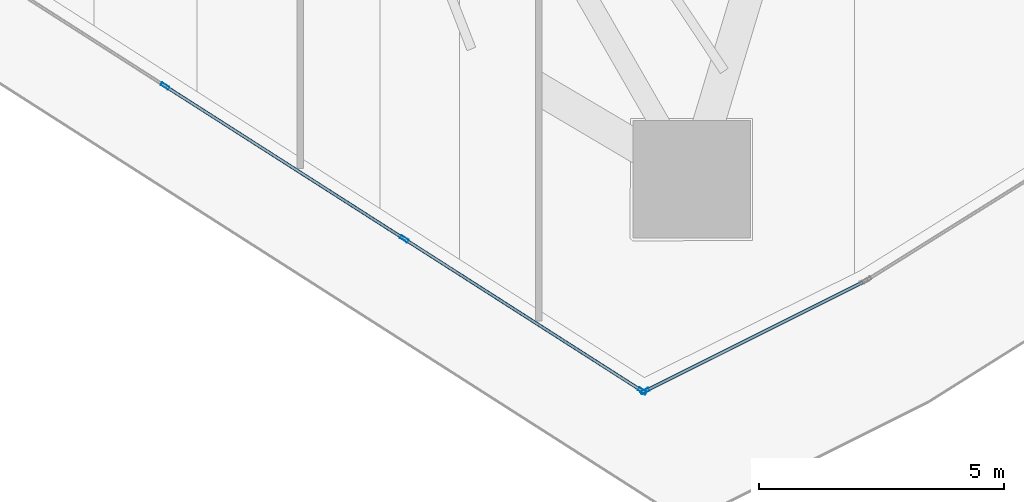
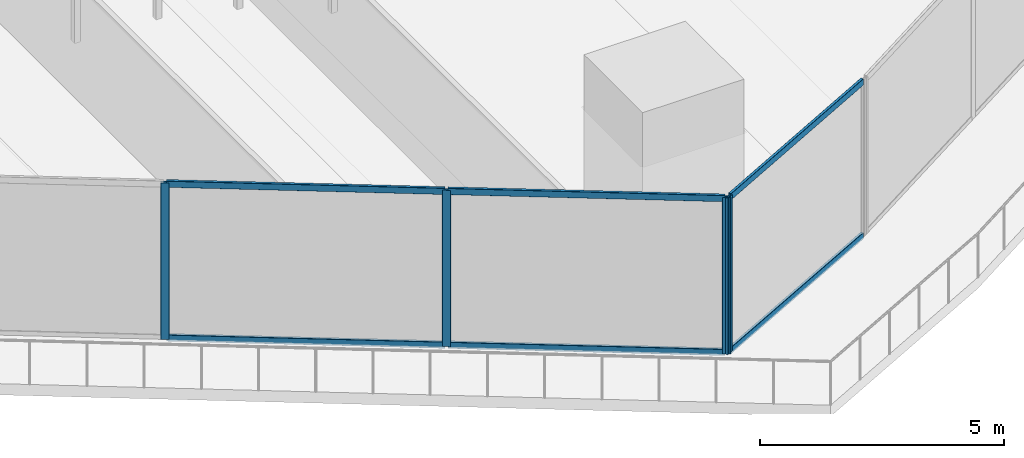
# One storey, part 7 of 45: 10 members, 2 elements without a shape of their own.
"""IFC4 building model written with IfcOpenShell, lengths in metres."""

from ifc_helpers import new_model, si_unit, direction, frame, origin, origin_2d, place, context, subcontext, project, spatial, hollow_rectangle, extrude, material, layer, layer_set, material_profile, profile_set, type_object, element, aggregate, save


model = new_model("IFC4")

# Units and contexts
model_context = context("Model", 3, precision=1e-05, world=origin(), true_north=direction((0.0, 1.0)))
body_context = subcontext(model_context, "Body", "Model", "MODEL_VIEW")
ifc_project = project(units=[si_unit("LENGTHUNIT", "METRE"), si_unit("AREAUNIT", "SQUARE_METRE"), si_unit("VOLUMEUNIT", "CUBIC_METRE"), si_unit("PLANEANGLEUNIT", "RADIAN"), si_unit("MASSUNIT", "GRAM", prefix="KILO")], contexts=[model_context])

# Site, building, storey
site_placement = place(None, origin())
site = spatial("IfcSite", under=ifc_project, at=site_placement, CompositionType="ELEMENT")
building_placement = place(site_placement, origin())
building = spatial("IfcBuilding", under=site, at=building_placement, Name="Qorvath Tower", CompositionType="ELEMENT")
storey_placement = place(building_placement, frame((0.0, 0.0, 91.199951171875)))
storey = spatial("IfcBuildingStorey", under=building, at=storey_placement, Name="L20", CompositionType="ELEMENT", Elevation=91.199951171875)

# Curtain wall, members
ifc_material_1 = material(Name="Anodised aluminium and triple low-E glass", Category="aluminium")
ifc_layer = layer(ifc_material_1, 0.179931640625)
ifc_layer_set = layer_set([ifc_layer], Name="CW-SYS-2")
curtain_wall_type = type_object("IfcCurtainWallType", Name="CW-SYS-2", PredefinedType="NOTDEFINED", material=ifc_layer_set)
curtain_wall_1_placement = place(storey_placement, origin())
curtain_wall_1 = element("IfcCurtainWall", 1, at=curtain_wall_1_placement, inside=storey, type_object=curtain_wall_type, Name="Curtain Wall CW-2 CW-T-L20-2.2", PredefinedType="NOTDEFINED")
ifc_material_2 = material(Name="Anodised aluminium 6063-T6", Category="aluminium")
ifc_material_profile_1 = material_profile(ifc_material_2, hollow_rectangle(XDim=0.06494140625, YDim=0.179931640625, WallThickness=0.00341796875, InnerFilletRadius=0.00341796875, OuterFilletRadius=0.007080078125, at=origin_2d()), Name="CWM 180x65")
ifc_profile_set_1 = profile_set([ifc_material_profile_1], Name="Anodised aluminium 6063-T6")
member_type_1 = type_object("IfcMemberType", Name="CWM-180", PredefinedType="MULLION", material=ifc_profile_set_1)
member_1_placement = place(storey_placement, frame((-25.19580078125, -25.430908203125, 0.0), z_axis=(0.0, 0.0, 1.0), x_axis=(0.538538603445, 0.842600838238, 0.0)))
member_1 = element("IfcMember", 2, at=member_1_placement, type_object=member_type_1, Name="CW-2 mullion 3", PredefinedType="MULLION", context=body_context, shape_type="SweptSolid", body=[
    extrude(hollow_rectangle(XDim=0.06494140625, YDim=0.179931640625, WallThickness=0.00341796875, InnerFilletRadius=0.00341796875, OuterFilletRadius=0.007080078125, at=origin_2d()), origin(), (0.0, 0.0, 1.0), 3.920166015625),
])
member_2_placement = place(storey_placement, frame((-20.32080078125, -28.546630859375, 0.0), z_axis=(0.0, 0.0, 1.0), x_axis=(0.538538603445, 0.842600838238, 0.0)))
member_2 = element("IfcMember", 3, at=member_2_placement, type_object=member_type_1, Name="CW-2 mullion 4", PredefinedType="MULLION", context=body_context, shape_type="SweptSolid", body=[
    extrude(hollow_rectangle(XDim=0.06494140625, YDim=0.179931640625, WallThickness=0.00341796875, InnerFilletRadius=0.00341796875, OuterFilletRadius=0.007080078125, at=origin_2d()), origin(), (0.0, 0.0, 1.0), 3.920166015625),
])
member_3_placement = place(storey_placement, frame((-15.47314453125, -31.64501953125, 0.0), z_axis=(0.0, 0.0, 1.0), x_axis=(0.538538603445, 0.842600838238, 0.0)))
member_3 = element("IfcMember", 4, at=member_3_placement, type_object=member_type_1, Name="CW-2 mullion 5", PredefinedType="MULLION", context=body_context, shape_type="SweptSolid", body=[
    extrude(hollow_rectangle(XDim=0.06494140625, YDim=0.179931640625, WallThickness=0.00341796875, InnerFilletRadius=0.00341796875, OuterFilletRadius=0.007080078125, at=origin_2d()), origin(), (0.0, 0.0, 1.0), 3.920166015625),
])

# Curtain wall, member
curtain_wall_2_placement = place(storey_placement, origin())
curtain_wall_2 = element("IfcCurtainWall", 5, at=curtain_wall_2_placement, inside=storey, type_object=curtain_wall_type, Name="Curtain Wall CW-2 CW-T-L20-3.1", PredefinedType="NOTDEFINED")
member_4_placement = place(storey_placement, frame((-15.416748046875, -31.64794921875, 0.0), z_axis=(0.0, 0.0, 1.0), x_axis=(-0.447245233408, 0.894411371347, 0.0)))
member_4 = element("IfcMember", 6, at=member_4_placement, type_object=member_type_1, Name="CW-2 mullion 1", PredefinedType="MULLION", context=body_context, shape_type="SweptSolid", body=[
    extrude(hollow_rectangle(XDim=0.06494140625, YDim=0.179931640625, WallThickness=0.00341796875, InnerFilletRadius=0.00341796875, OuterFilletRadius=0.007080078125, at=origin_2d()), origin(), (0.0, 0.0, 1.0), 3.920166015625),
])

# Member
ifc_material_3 = material(Name="Anodised aluminium 6063-T6", Category="aluminium")
ifc_material_profile_2 = material_profile(ifc_material_3, hollow_rectangle(XDim=0.06494140625, YDim=0.159912109375, WallThickness=0.00341796875, InnerFilletRadius=0.00341796875, OuterFilletRadius=0.007080078125, at=origin_2d()), Name="CWT 160x65")
ifc_profile_set_2 = profile_set([ifc_material_profile_2], Name="Anodised aluminium 6063-T6")
member_type_2 = type_object("IfcMemberType", Name="CWT-160", PredefinedType="USERDEFINED", material=ifc_profile_set_2)
member_5_placement = place(storey_placement, frame((-25.16845703125, -25.4482421875, 0.032470703125), z_axis=(0.842603738869, -0.538534065072, 0.0), x_axis=(0.538534065072, 0.842603738869, 0.0)))
member_5 = element("IfcMember", 7, at=member_5_placement, type_object=member_type_2, Name="CW-2 transom 3.1", ObjectType="TRANSOM", PredefinedType="USERDEFINED", context=body_context, shape_type="SweptSolid", body=[
    extrude(hollow_rectangle(XDim=0.06494140625, YDim=0.159912109375, WallThickness=0.00341796875, InnerFilletRadius=0.00341796875, OuterFilletRadius=0.007080078125, at=origin_2d()), origin(), (0.0, 0.0, 1.0), 5.720703125),
])

member_6_placement = place(storey_placement, frame((-25.16845703125, -25.4482421875, 3.8876953125), z_axis=(0.842603738869, -0.538534065072, 0.0), x_axis=(0.538534065072, 0.842603738869, 0.0)))
member_6 = element("IfcMember", 8, at=member_6_placement, type_object=member_type_2, Name="CW-2 transom 3.2", ObjectType="TRANSOM", PredefinedType="USERDEFINED", context=body_context, shape_type="SweptSolid", body=[
    extrude(hollow_rectangle(XDim=0.06494140625, YDim=0.159912109375, WallThickness=0.00341796875, InnerFilletRadius=0.00341796875, OuterFilletRadius=0.007080078125, at=origin_2d()), origin(), (0.0, 0.0, 1.0), 5.720703125),
])

member_7_placement = place(storey_placement, frame((-20.29345703125, -28.564208984375, 0.032470703125), z_axis=(0.842611866922, -0.538521347508, 0.0), x_axis=(0.538521347508, 0.842611866922, 0.0)))
member_7 = element("IfcMember", 9, at=member_7_placement, type_object=member_type_2, Name="CW-2 transom 4.1", ObjectType="TRANSOM", PredefinedType="USERDEFINED", context=body_context, shape_type="SweptSolid", body=[
    extrude(hollow_rectangle(XDim=0.06494140625, YDim=0.159912109375, WallThickness=0.00341796875, InnerFilletRadius=0.00341796875, OuterFilletRadius=0.007080078125, at=origin_2d()), origin(), (0.0, 0.0, 1.0), 5.688232421875),
])

member_8_placement = place(storey_placement, frame((-20.29345703125, -28.564208984375, 3.8876953125), z_axis=(0.842611866922, -0.538521347508, 0.0), x_axis=(0.538521347508, 0.842611866922, 0.0)))
member_8 = element("IfcMember", 10, at=member_8_placement, type_object=member_type_2, Name="CW-2 transom 4.2", ObjectType="TRANSOM", PredefinedType="USERDEFINED", context=body_context, shape_type="SweptSolid", body=[
    extrude(hollow_rectangle(XDim=0.06494140625, YDim=0.159912109375, WallThickness=0.00341796875, InnerFilletRadius=0.00341796875, OuterFilletRadius=0.007080078125, at=origin_2d()), origin(), (0.0, 0.0, 1.0), 5.688232421875),
])

aggregate(curtain_wall_1, [member_1, member_2, member_3, member_5, member_6, member_7, member_8])

member_9_placement = place(storey_placement, frame((-15.3876953125, -31.63330078125, 0.032470703125), z_axis=(0.894417280889, 0.447233415174, 0.0), x_axis=(-0.447233415174, 0.894417280889, 0.0)))
member_9 = element("IfcMember", 11, at=member_9_placement, type_object=member_type_2, Name="CW-2 transom 1.1", ObjectType="TRANSOM", PredefinedType="USERDEFINED", context=body_context, shape_type="SweptSolid", body=[
    extrude(hollow_rectangle(XDim=0.06494140625, YDim=0.159912109375, WallThickness=0.00341796875, InnerFilletRadius=0.00341796875, OuterFilletRadius=0.007080078125, at=origin_2d()), origin(), (0.0, 0.0, 1.0), 4.92724609375),
])

member_10_placement = place(storey_placement, frame((-15.3876953125, -31.63330078125, 3.8876953125), z_axis=(0.894417280889, 0.447233415174, 0.0), x_axis=(-0.447233415174, 0.894417280889, 0.0)))
member_10 = element("IfcMember", 12, at=member_10_placement, type_object=member_type_2, Name="CW-2 transom 1.2", ObjectType="TRANSOM", PredefinedType="USERDEFINED", context=body_context, shape_type="SweptSolid", body=[
    extrude(hollow_rectangle(XDim=0.06494140625, YDim=0.159912109375, WallThickness=0.00341796875, InnerFilletRadius=0.00341796875, OuterFilletRadius=0.007080078125, at=origin_2d()), origin(), (0.0, 0.0, 1.0), 4.92724609375),
])

aggregate(curtain_wall_2, [member_4, member_9, member_10])

save(model, "model.ifc")
